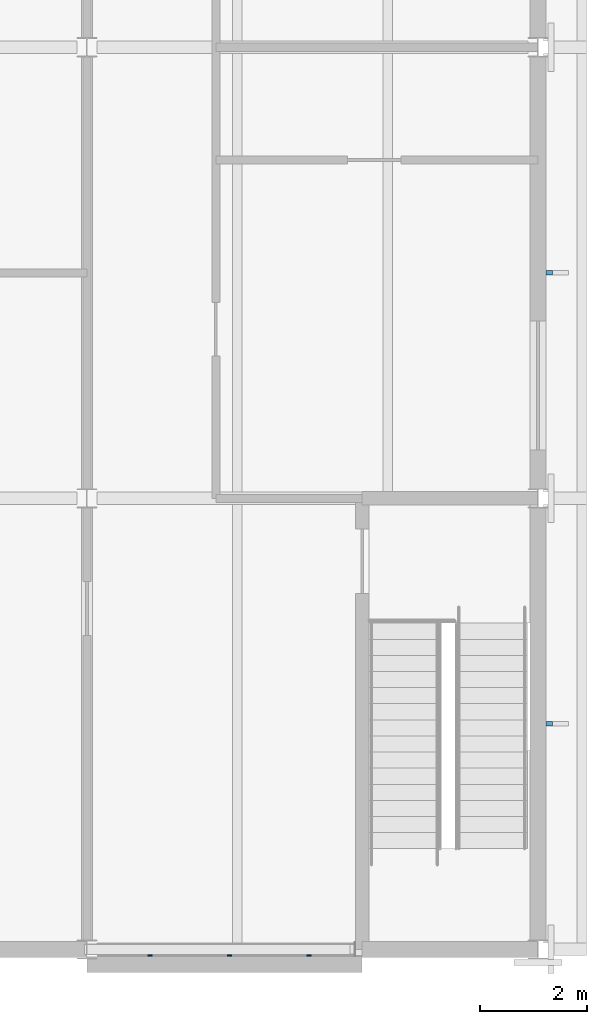
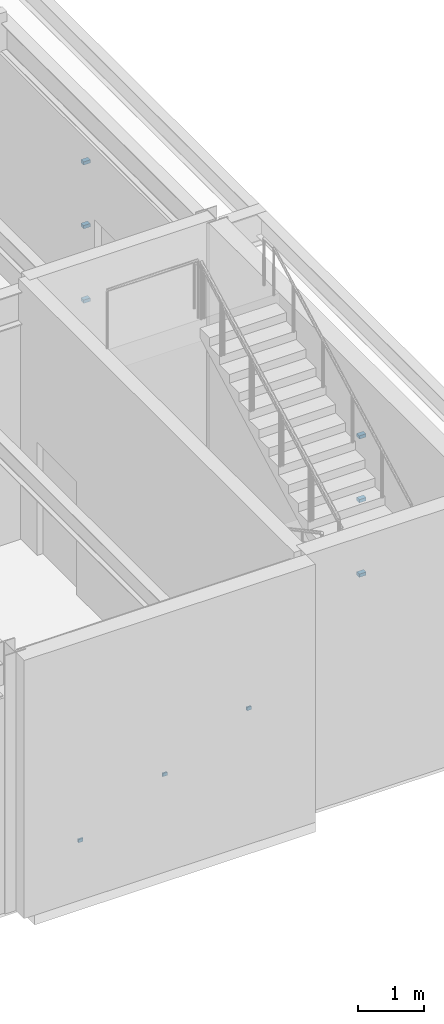
# One storey, part 88 of 116: 9 discrete accessories.
"""IFC4 building model written with IfcOpenShell, lengths in metres."""

import ifcopenshell
import ifcopenshell.guid

model = None  # the IFC model being written
_history = None  # IfcOwnerHistory: only IFC2X3 demands one
_inside = {}  # id of a spatial element -> (the spatial element, [elements in it])
_under = {}  # id of a project, library or spatial element -> (it, [spatial elements below it])
_declared = {}  # id of a project -> (the project, [libraries it declares])
_typed = {}  # id of a type object -> (the type object, [elements of that type])
_made_of = {}  # id of a material, layer set ... -> (it, [elements and type objects made of it])


def new_model(schema):
    """Start an empty IFC model of exactly this schema.

    Asked for "IFC4X3", IfcOpenShell would pick the latest addendum, in which some entities
    have other attributes; the version numbers below select the first issue.
    IFC2X3 requires an IfcOwnerHistory on every rooted entity: one is made here for all.
    """
    global model, _history
    if schema == "IFC4X3":
        model = ifcopenshell.file(schema_version=(4, 3, 0, 0))
    else:
        model = ifcopenshell.file(schema=schema)
    _inside.clear()
    _under.clear()
    _declared.clear()
    _typed.clear()
    _made_of.clear()
    _history = None
    if model.schema == "IFC2X3":
        org = make("IfcOrganization", Name="unknown")
        user = make(
            "IfcPersonAndOrganization",
            ThePerson=make("IfcPerson", FamilyName="unknown"),
            TheOrganization=org,
        )
        app = make(
            "IfcApplication",
            ApplicationDeveloper=org,
            Version="unknown",
            ApplicationFullName="unknown",
            ApplicationIdentifier="unknown",
        )
        _history = make(
            "IfcOwnerHistory",
            OwningUser=user,
            OwningApplication=app,
            ChangeAction="ADDED",
            CreationDate=0,
        )
    return model


def make(cls, **values):
    """One entity of the class cls with the attributes given. An attribute that is None is left unset."""
    return model.create_entity(
        cls, **{name: value for name, value in values.items() if value is not None}
    )


def rooted(cls, **values):
    """An entity with a GlobalId (a new one), such as an element, a storey or a relation."""
    return make(cls, GlobalId=ifcopenshell.guid.new(), OwnerHistory=_history, **values)


def si_unit(unit_type, name, prefix=None):
    """IfcSIUnit, for example si_unit("LENGTHUNIT", "METRE", prefix="MILLI")."""
    return make("IfcSIUnit", UnitType=unit_type, Prefix=prefix, Name=name)


def assignment(units):
    """IfcUnitAssignment: the units of a project."""
    return None if units is None else make("IfcUnitAssignment", Units=units)


def point(xyz):
    """IfcCartesianPoint."""
    return None if xyz is None else make("IfcCartesianPoint", Coordinates=xyz)


def direction(xyz):
    """IfcDirection."""
    return None if xyz is None else make("IfcDirection", DirectionRatios=xyz)


def frame(location, z_axis=None, x_axis=None):
    """IfcAxis2Placement3D, a coordinate frame: its origin and axes. An axis left out is left unset."""
    return make(
        "IfcAxis2Placement3D",
        Location=point(location),
        Axis=direction(z_axis),
        RefDirection=direction(x_axis),
    )


def frame_2d(location, x_axis=None):
    """IfcAxis2Placement2D, a coordinate frame in the plane: its origin and x axis."""
    return make(
        "IfcAxis2Placement2D", Location=point(location), RefDirection=direction(x_axis)
    )


def origin():
    """The frame at (0, 0, 0) with its axes left unset."""
    return frame((0.0, 0.0, 0.0))


def origin_2d():
    """The frame at (0, 0) in the plane with its x axis left unset."""
    return frame_2d((0.0, 0.0))


def place(relative_to, where):
    """IfcLocalPlacement: puts the frame where relative to a parent placement (None: the world)."""
    return make(
        "IfcLocalPlacement", PlacementRelTo=relative_to, RelativePlacement=where
    )


def context(
    kind, dimensions, precision=None, world=None, true_north=None, identifier=None
):
    """IfcGeometricRepresentationContext, for example the 3D "Model" context."""
    return make(
        "IfcGeometricRepresentationContext",
        ContextIdentifier=identifier,
        ContextType=kind,
        CoordinateSpaceDimension=dimensions,
        Precision=precision,
        WorldCoordinateSystem=world,
        TrueNorth=true_north,
    )


def subcontext(parent, identifier, kind, view, scale=None):
    """IfcGeometricRepresentationSubContext, for example "Body" below "Model"."""
    return make(
        "IfcGeometricRepresentationSubContext",
        ContextIdentifier=identifier,
        ContextType=kind,
        ParentContext=parent,
        TargetScale=scale,
        TargetView=view,
    )


def project(units=None, contexts=None):
    """IfcProject with its units and contexts."""
    return rooted(
        "IfcProject",
        Name="project",
        RepresentationContexts=contexts,
        UnitsInContext=assignment(units),
    )


def spatial(cls, under=None, at=None, **own):
    """A site, building, storey or space (cls), placed at a placement, below another one or the project."""
    s = rooted(cls, ObjectPlacement=at, **own)
    if under is not None:
        _under.setdefault(under.id(), (under, []))[1].append(s)
    return s


def profile(cls, at=None, kind="AREA", **sizes):
    """A parametric profile (cls). Its sizes go by their IFC names, for example OverallWidth=200.0."""
    return make(cls, ProfileType=kind, Position=at, **sizes)


def rectangle(**sizes):
    """IfcRectangleProfileDef."""
    return profile("IfcRectangleProfileDef", **sizes)


def extrude(swept, where, along, depth):
    """IfcExtrudedAreaSolid: the profile swept, set in the frame where, extruded along a direction by depth."""
    return make(
        "IfcExtrudedAreaSolid",
        SweptArea=swept,
        Position=where,
        ExtrudedDirection=direction(along),
        Depth=depth,
    )


def shape(context_of_items, identifier, shape_type, items):
    """IfcShapeRepresentation: the items that make up one representation, for example the "Body"."""
    return make(
        "IfcShapeRepresentation",
        ContextOfItems=context_of_items,
        RepresentationIdentifier=identifier,
        RepresentationType=shape_type,
        Items=items,
    )


def material(Name=None, Category=None):
    """IfcMaterial."""
    return make("IfcMaterial", Name=Name, Category=Category)


def made_of(thing, what):
    """Note that an element or type object is made of a material, layer set ...; save() writes the relation."""
    if what is not None:
        _made_of.setdefault(what.id(), (what, []))[1].append(thing)
    return thing


def type_object(cls, material=None, **own):
    """A type object (cls), such as IfcWallType, which elements share."""
    return made_of(rooted(cls, **own), material)


def element(
    cls,
    number,
    at=None,
    inside=None,
    cuts=None,
    type_object=None,
    material=None,
    context=None,
    identifier="Body",
    shape_type=None,
    held_by="IfcProductDefinitionShape",
    body=None,
    shapes=None,
    **own,
):
    """One element of the class cls, such as IfcWall. Its Tag is "e" and its number.

    at: its placement. inside: the storey or other place that contains it. cuts: it is an
    opening in that element (IfcRelVoidsElement). A single representation is given by context,
    identifier, shape_type and body (its items); several are given by shapes. held_by: the class
    of the entity that holds the representations. save() writes the other relations.
    """
    e = rooted(cls, Tag="e%d" % number, ObjectPlacement=at, **own)
    if body is not None:
        shapes = [shape(context, identifier, shape_type, body)]
    if shapes is not None:
        e.Representation = make(held_by, Representations=shapes)
    if inside is not None:
        _inside.setdefault(inside.id(), (inside, []))[1].append(e)
    if cuts is not None:
        rooted(
            "IfcRelVoidsElement", RelatingBuildingElement=cuts, RelatedOpeningElement=e
        )
    if type_object is not None:
        _typed.setdefault(type_object.id(), (type_object, []))[1].append(e)
    return made_of(e, material)


def aggregate(whole, parts):
    """IfcRelAggregates: a whole, such as a stair, and the parts it consists of."""
    return rooted("IfcRelAggregates", RelatingObject=whole, RelatedObjects=parts)


def save(model, path):
    """Write the relations noted so far, then the file.

    IfcRelAggregates (storeys below a building ...), IfcRelContainedInSpatialStructure (elements
    in a storey), IfcRelDefinesByType, IfcRelAssociatesMaterial and IfcRelDeclares: one each for
    every whole, place, type object, material and project.
    """
    for whole, parts in _under.values():
        aggregate(whole, parts)
    for where, things in _inside.values():
        rooted(
            "IfcRelContainedInSpatialStructure",
            RelatedElements=things,
            RelatingStructure=where,
        )
    for kind, things in _typed.values():
        rooted("IfcRelDefinesByType", RelatedObjects=things, RelatingType=kind)
    for what, things in _made_of.values():
        rooted("IfcRelAssociatesMaterial", RelatedObjects=things, RelatingMaterial=what)
    for by, libraries in _declared.values():
        rooted("IfcRelDeclares", RelatingContext=by, RelatedDefinitions=libraries)
    model.write(path)


model = new_model("IFC4")

# Units and contexts
model_context = context("Model", 3, precision=1e-05, world=origin(), true_north=direction((0.0, 1.0)))
body_context = subcontext(model_context, "Body", "Model", "MODEL_VIEW")
ifc_project = project(units=[si_unit("LENGTHUNIT", "METRE"), si_unit("AREAUNIT", "SQUARE_METRE"), si_unit("VOLUMEUNIT", "CUBIC_METRE"), si_unit("PLANEANGLEUNIT", "RADIAN"), si_unit("MASSUNIT", "GRAM", prefix="KILO")], contexts=[model_context])

# Site, building, storey
site_placement = place(None, origin())
site = spatial("IfcSite", under=ifc_project, at=site_placement, CompositionType="ELEMENT")
building_placement = place(site_placement, origin())
building = spatial("IfcBuilding", under=site, at=building_placement, Name="Ljudholm Concert House", CompositionType="ELEMENT")
storey_placement = place(building_placement, frame((0.0, 0.0, 10.199951171875)))
storey = spatial("IfcBuildingStorey", under=building, at=storey_placement, Name="L02", CompositionType="ELEMENT", Elevation=10.199951171875)

# Discrete accessories
ifc_material_1 = material(Name="Stainless steel bracket", Category="steel")
discrete_accessory_type_1 = type_object("IfcDiscreteAccessoryType", Name="BRACKET 120", PredefinedType="BRACKET", material=ifc_material_1)
for number, where, z_axis, x_axis, name in (
    (1, (121.81005859375, 8.199951171875, 0.570068359375), (0.0, 0.0, 1.0), (1.0, 0.0, 0.0), "Fin bracket"),
    (2, (121.81005859375, 8.199951171875, 1.955078125), (0.0, 0.0, 1.0), (1.0, 0.0, 0.0), "Fin bracket"),
    (3, (121.81005859375, 8.199951171875, 3.14013671875), (0.0, 0.0, 1.0), (1.0, 0.0, 0.0), "Fin bracket"),
    (4, (121.81005859375, 16.60009765625, 0.570068359375), (0.0, 0.0, 1.0), (1.0, 0.0, 0.0), "Fin bracket"),
    (5, (121.81005859375, 16.60009765625, 1.955078125), (0.0, 0.0, 1.0), (1.0, 0.0, 0.0), "Fin bracket"),
    (6, (121.81005859375, 16.60009765625, 3.14013671875), (0.0, 0.0, 1.0), (1.0, 0.0, 0.0), "Fin bracket"),
):
    element("IfcDiscreteAccessory", number, at=place(storey_placement, frame(where, z_axis=z_axis, x_axis=x_axis)), inside=storey, type_object=discrete_accessory_type_1, Name=name, PredefinedType="BRACKET", context=body_context, shape_type="SweptSolid", body=[
        extrude(rectangle(XDim=0.1201171875, YDim=0.080078125, at=origin_2d()), origin(), (0.0, 0.0, 1.0), 0.06005859375),
    ])
ifc_material_2 = material(Name="Stainless steel bracket", Category="steel")
discrete_accessory_type_2 = type_object("IfcDiscreteAccessoryType", Name="PANEL BRACKET EXTERNAL", PredefinedType="BRACKET", material=ifc_material_2)
for number, where, z_axis, x_axis, name in (
    (7, (114.376953125, 3.884521484375, 0.833251953125), (0.0, 0.0, 1.0), (0.0, -1.0, 0.0), "Panel bracket"),
    (8, (115.857421875, 3.884521484375, 1.541748046875), (0.0, 0.0, 1.0), (0.0, -1.0, 0.0), "Panel bracket"),
    (9, (117.337890625, 3.884521484375, 2.250244140625), (0.0, 0.0, 1.0), (0.0, -1.0, 0.0), "Panel bracket"),
):
    element("IfcDiscreteAccessory", number, at=place(storey_placement, frame(where, z_axis=z_axis, x_axis=x_axis)), inside=storey, type_object=discrete_accessory_type_2, Name=name, PredefinedType="BRACKET", context=body_context, shape_type="SweptSolid", body=[
        extrude(rectangle(XDim=0.028076171875, YDim=0.080078125, at=origin_2d()), origin(), (0.0, 0.0, 1.0), 0.06005859375),
    ])

save(model, "model.ifc")
